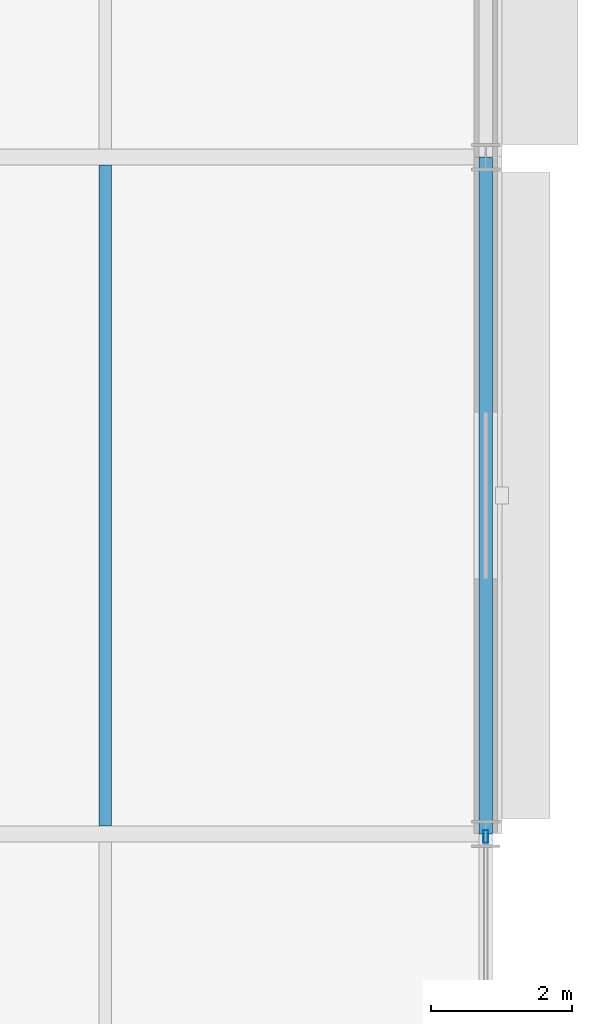
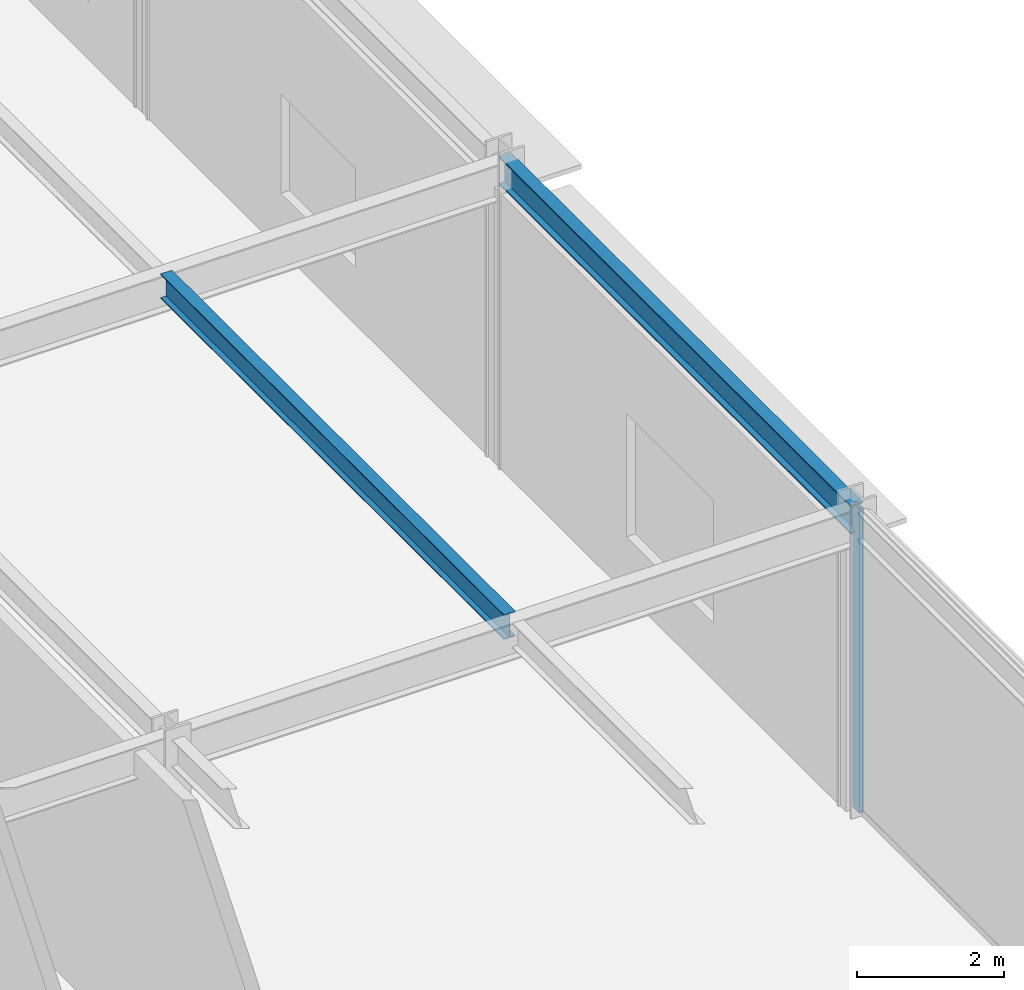
# One storey, part 109 of 168: 2 beams, 1 member, 1 element without a shape of its own.
"""IFC4 building model written with IfcOpenShell, lengths in metres."""

import ifcopenshell
import ifcopenshell.guid

model = None  # the IFC model being written
_history = None  # IfcOwnerHistory: only IFC2X3 demands one
_inside = {}  # id of a spatial element -> (the spatial element, [elements in it])
_under = {}  # id of a project, library or spatial element -> (it, [spatial elements below it])
_declared = {}  # id of a project -> (the project, [libraries it declares])
_typed = {}  # id of a type object -> (the type object, [elements of that type])
_made_of = {}  # id of a material, layer set ... -> (it, [elements and type objects made of it])


def new_model(schema):
    """Start an empty IFC model of exactly this schema.

    Asked for "IFC4X3", IfcOpenShell would pick the latest addendum, in which some entities
    have other attributes; the version numbers below select the first issue.
    IFC2X3 requires an IfcOwnerHistory on every rooted entity: one is made here for all.
    """
    global model, _history
    if schema == "IFC4X3":
        model = ifcopenshell.file(schema_version=(4, 3, 0, 0))
    else:
        model = ifcopenshell.file(schema=schema)
    _inside.clear()
    _under.clear()
    _declared.clear()
    _typed.clear()
    _made_of.clear()
    _history = None
    if model.schema == "IFC2X3":
        org = make("IfcOrganization", Name="unknown")
        user = make(
            "IfcPersonAndOrganization",
            ThePerson=make("IfcPerson", FamilyName="unknown"),
            TheOrganization=org,
        )
        app = make(
            "IfcApplication",
            ApplicationDeveloper=org,
            Version="unknown",
            ApplicationFullName="unknown",
            ApplicationIdentifier="unknown",
        )
        _history = make(
            "IfcOwnerHistory",
            OwningUser=user,
            OwningApplication=app,
            ChangeAction="ADDED",
            CreationDate=0,
        )
    return model


def make(cls, **values):
    """One entity of the class cls with the attributes given. An attribute that is None is left unset."""
    return model.create_entity(
        cls, **{name: value for name, value in values.items() if value is not None}
    )


def rooted(cls, **values):
    """An entity with a GlobalId (a new one), such as an element, a storey or a relation."""
    return make(cls, GlobalId=ifcopenshell.guid.new(), OwnerHistory=_history, **values)


def si_unit(unit_type, name, prefix=None):
    """IfcSIUnit, for example si_unit("LENGTHUNIT", "METRE", prefix="MILLI")."""
    return make("IfcSIUnit", UnitType=unit_type, Prefix=prefix, Name=name)


def assignment(units):
    """IfcUnitAssignment: the units of a project."""
    return None if units is None else make("IfcUnitAssignment", Units=units)


def point(xyz):
    """IfcCartesianPoint."""
    return None if xyz is None else make("IfcCartesianPoint", Coordinates=xyz)


def direction(xyz):
    """IfcDirection."""
    return None if xyz is None else make("IfcDirection", DirectionRatios=xyz)


def frame(location, z_axis=None, x_axis=None):
    """IfcAxis2Placement3D, a coordinate frame: its origin and axes. An axis left out is left unset."""
    return make(
        "IfcAxis2Placement3D",
        Location=point(location),
        Axis=direction(z_axis),
        RefDirection=direction(x_axis),
    )


def frame_2d(location, x_axis=None):
    """IfcAxis2Placement2D, a coordinate frame in the plane: its origin and x axis."""
    return make(
        "IfcAxis2Placement2D", Location=point(location), RefDirection=direction(x_axis)
    )


def origin():
    """The frame at (0, 0, 0) with its axes left unset."""
    return frame((0.0, 0.0, 0.0))


def origin_2d():
    """The frame at (0, 0) in the plane with its x axis left unset."""
    return frame_2d((0.0, 0.0))


def place(relative_to, where):
    """IfcLocalPlacement: puts the frame where relative to a parent placement (None: the world)."""
    return make(
        "IfcLocalPlacement", PlacementRelTo=relative_to, RelativePlacement=where
    )


def context(
    kind, dimensions, precision=None, world=None, true_north=None, identifier=None
):
    """IfcGeometricRepresentationContext, for example the 3D "Model" context."""
    return make(
        "IfcGeometricRepresentationContext",
        ContextIdentifier=identifier,
        ContextType=kind,
        CoordinateSpaceDimension=dimensions,
        Precision=precision,
        WorldCoordinateSystem=world,
        TrueNorth=true_north,
    )


def subcontext(parent, identifier, kind, view, scale=None):
    """IfcGeometricRepresentationSubContext, for example "Body" below "Model"."""
    return make(
        "IfcGeometricRepresentationSubContext",
        ContextIdentifier=identifier,
        ContextType=kind,
        ParentContext=parent,
        TargetScale=scale,
        TargetView=view,
    )


def project(units=None, contexts=None):
    """IfcProject with its units and contexts."""
    return rooted(
        "IfcProject",
        Name="project",
        RepresentationContexts=contexts,
        UnitsInContext=assignment(units),
    )


def spatial(cls, under=None, at=None, **own):
    """A site, building, storey or space (cls), placed at a placement, below another one or the project."""
    s = rooted(cls, ObjectPlacement=at, **own)
    if under is not None:
        _under.setdefault(under.id(), (under, []))[1].append(s)
    return s


def profile(cls, at=None, kind="AREA", **sizes):
    """A parametric profile (cls). Its sizes go by their IFC names, for example OverallWidth=200.0."""
    return make(cls, ProfileType=kind, Position=at, **sizes)


def hollow_rectangle(**sizes):
    """IfcRectangleHollowProfileDef."""
    return profile("IfcRectangleHollowProfileDef", **sizes)


def i_section(**sizes):
    """IfcIShapeProfileDef."""
    return profile("IfcIShapeProfileDef", **sizes)


def extrude(swept, where, along, depth):
    """IfcExtrudedAreaSolid: the profile swept, set in the frame where, extruded along a direction by depth."""
    return make(
        "IfcExtrudedAreaSolid",
        SweptArea=swept,
        Position=where,
        ExtrudedDirection=direction(along),
        Depth=depth,
    )


def shape(context_of_items, identifier, shape_type, items):
    """IfcShapeRepresentation: the items that make up one representation, for example the "Body"."""
    return make(
        "IfcShapeRepresentation",
        ContextOfItems=context_of_items,
        RepresentationIdentifier=identifier,
        RepresentationType=shape_type,
        Items=items,
    )


def material(Name=None, Category=None):
    """IfcMaterial."""
    return make("IfcMaterial", Name=Name, Category=Category)


def material_profile(
    of_material, cross_section, Name=None, Category=None, Priority=None
):
    """IfcMaterialProfile: a cross section and its material."""
    return make(
        "IfcMaterialProfile",
        Name=Name,
        Material=of_material,
        Profile=cross_section,
        Priority=Priority,
        Category=Category,
    )


def profile_set(profiles, Name=None, composite=None):
    """IfcMaterialProfileSet."""
    return make(
        "IfcMaterialProfileSet",
        Name=Name,
        MaterialProfiles=profiles,
        CompositeProfile=composite,
    )


def made_of(thing, what):
    """Note that an element or type object is made of a material, layer set ...; save() writes the relation."""
    if what is not None:
        _made_of.setdefault(what.id(), (what, []))[1].append(thing)
    return thing


def type_object(cls, material=None, **own):
    """A type object (cls), such as IfcWallType, which elements share."""
    return made_of(rooted(cls, **own), material)


def element(
    cls,
    number,
    at=None,
    inside=None,
    cuts=None,
    type_object=None,
    material=None,
    context=None,
    identifier="Body",
    shape_type=None,
    held_by="IfcProductDefinitionShape",
    body=None,
    shapes=None,
    **own,
):
    """One element of the class cls, such as IfcWall. Its Tag is "e" and its number.

    at: its placement. inside: the storey or other place that contains it. cuts: it is an
    opening in that element (IfcRelVoidsElement). A single representation is given by context,
    identifier, shape_type and body (its items); several are given by shapes. held_by: the class
    of the entity that holds the representations. save() writes the other relations.
    """
    e = rooted(cls, Tag="e%d" % number, ObjectPlacement=at, **own)
    if body is not None:
        shapes = [shape(context, identifier, shape_type, body)]
    if shapes is not None:
        e.Representation = make(held_by, Representations=shapes)
    if inside is not None:
        _inside.setdefault(inside.id(), (inside, []))[1].append(e)
    if cuts is not None:
        rooted(
            "IfcRelVoidsElement", RelatingBuildingElement=cuts, RelatedOpeningElement=e
        )
    if type_object is not None:
        _typed.setdefault(type_object.id(), (type_object, []))[1].append(e)
    return made_of(e, material)


def aggregate(whole, parts):
    """IfcRelAggregates: a whole, such as a stair, and the parts it consists of."""
    return rooted("IfcRelAggregates", RelatingObject=whole, RelatedObjects=parts)


def save(model, path):
    """Write the relations noted so far, then the file.

    IfcRelAggregates (storeys below a building ...), IfcRelContainedInSpatialStructure (elements
    in a storey), IfcRelDefinesByType, IfcRelAssociatesMaterial and IfcRelDeclares: one each for
    every whole, place, type object, material and project.
    """
    for whole, parts in _under.values():
        aggregate(whole, parts)
    for where, things in _inside.values():
        rooted(
            "IfcRelContainedInSpatialStructure",
            RelatedElements=things,
            RelatingStructure=where,
        )
    for kind, things in _typed.values():
        rooted("IfcRelDefinesByType", RelatedObjects=things, RelatingType=kind)
    for what, things in _made_of.values():
        rooted("IfcRelAssociatesMaterial", RelatedObjects=things, RelatingMaterial=what)
    for by, libraries in _declared.values():
        rooted("IfcRelDeclares", RelatingContext=by, RelatedDefinitions=libraries)
    model.write(path)


model = new_model("IFC4")

# Units and contexts
model_context = context("Model", 3, precision=1e-05, world=origin(), true_north=direction((0.0, 1.0)))
body_context = subcontext(model_context, "Body", "Model", "MODEL_VIEW")
ifc_project = project(units=[si_unit("LENGTHUNIT", "METRE"), si_unit("AREAUNIT", "SQUARE_METRE"), si_unit("VOLUMEUNIT", "CUBIC_METRE"), si_unit("PLANEANGLEUNIT", "RADIAN"), si_unit("MASSUNIT", "GRAM", prefix="KILO")], contexts=[model_context])

# Site, building, storey
site_placement = place(None, origin())
site = spatial("IfcSite", under=ifc_project, at=site_placement, CompositionType="ELEMENT")
building_placement = place(site_placement, origin())
building = spatial("IfcBuilding", under=site, at=building_placement, Name="Almandine Court Research Institute", CompositionType="ELEMENT")
storey_placement = place(building_placement, origin())
storey = spatial("IfcBuildingStorey", under=building, at=storey_placement, Name="L00", CompositionType="ELEMENT", Elevation=0.0)

# Beams
ifc_material_1 = material(Name="Steel ASTM A992 Grade 50", Category="steel")
ifc_material_profile_1 = material_profile(ifc_material_1, i_section(OverallWidth=0.178955078125, OverallDepth=0.409912109375, WebThickness=0.009033203125, FlangeThickness=0.013916015625, at=origin_2d()), Name="W410x67")
ifc_profile_set_1 = profile_set([ifc_material_profile_1], Name="Steel ASTM A992 Grade 50")
beam_type_1 = type_object("IfcBeamType", Name="Beam-B-02", PredefinedType="JOIST", material=ifc_profile_set_1)
beam_1_placement = place(storey_placement, frame((168.60009765625, 93.712890625, 4.864990234375), z_axis=(0.0, 1.0, 0.0), x_axis=(-1.0, 0.0, 0.0)))
element("IfcBeam", 1, at=beam_1_placement, inside=storey, type_object=beam_type_1, Name="L00 V4 Composite Secondary Beam", PredefinedType="JOIST", context=body_context, shape_type="SweptSolid", body=[
    extrude(i_section(OverallWidth=0.178955078125, OverallDepth=0.409912109375, WebThickness=0.009033203125, FlangeThickness=0.013916015625, at=origin_2d()), origin(), (0.0, 0.0, 1.0), 9.3740234375),
])
ifc_material_profile_2 = material_profile(ifc_material_1, i_section(OverallWidth=0.193115234375, OverallDepth=0.466064453125, WebThickness=0.010986328125, FlangeThickness=0.01904296875, at=origin_2d()), Name="W460x97")
ifc_profile_set_2 = profile_set([ifc_material_profile_2], Name="Steel ASTM A992 Grade 50")
beam_type_2 = type_object("IfcBeamType", Name="Beam-G-06-E", PredefinedType="SPANDREL", material=ifc_profile_set_2)
beam_2_placement = place(storey_placement, frame((174.0, 93.60009765625, 4.8369140625), z_axis=(0.0, 1.0, 0.0), x_axis=(-1.0, 0.0, 0.0)))
element("IfcBeam", 2, at=beam_2_placement, inside=storey, type_object=beam_type_2, Name="L00 V4 Primary Y Girder", PredefinedType="SPANDREL", context=body_context, shape_type="SweptSolid", body=[
    extrude(i_section(OverallWidth=0.193115234375, OverallDepth=0.466064453125, WebThickness=0.010986328125, FlangeThickness=0.01904296875, at=origin_2d()), origin(), (0.0, 0.0, 1.0), 9.599853515625),
])

# Curtain wall, member
ifc_material_2 = material(Name="Unitised Curtain Wall Framing and Solar Glazing", Category="glass")
curtain_wall_type = type_object("IfcCurtainWallType", Name="CW-CWJ-13", PredefinedType="USERDEFINED", material=ifc_material_2)
curtain_wall_placement = place(storey_placement, origin())
curtain_wall = element("IfcCurtainWall", 3, at=curtain_wall_placement, inside=storey, type_object=curtain_wall_type, Name="L00 Wet Lab East Jali Curtain Wall 8", ObjectType="SOLAR JALI SCREEN", PredefinedType="USERDEFINED")
ifc_material_3 = material(Name="Anodised Aluminium AW-6063-T6", Category="aluminium")
ifc_material_profile_3 = material_profile(ifc_material_3, hollow_rectangle(XDim=0.06494140625, YDim=0.179931640625, WallThickness=0.00390625, at=origin_2d()), Name="ALU RHS 65x180x4")
ifc_profile_set_3 = profile_set([ifc_material_profile_3], Name="Anodised Aluminium AW-6063-T6")
member_type = type_object("IfcMemberType", Name="CWMul-65x180", PredefinedType="MULLION", material=ifc_profile_set_3)
member_placement = place(storey_placement, frame((174.0, 93.5634765625, 0.0), z_axis=(0.0, 0.0, 1.0), x_axis=(1.0, 0.0, 0.0)))
member = element("IfcMember", 4, at=member_placement, type_object=member_type, Name="CWJ-13 mullion 1", PredefinedType="MULLION", context=body_context, shape_type="SweptSolid", body=[
    extrude(hollow_rectangle(XDim=0.06494140625, YDim=0.179931640625, WallThickness=0.00390625, at=origin_2d()), origin(), (0.0, 0.0, 1.0), 5.070068359375),
])
aggregate(curtain_wall, [member])

save(model, "model.ifc")
